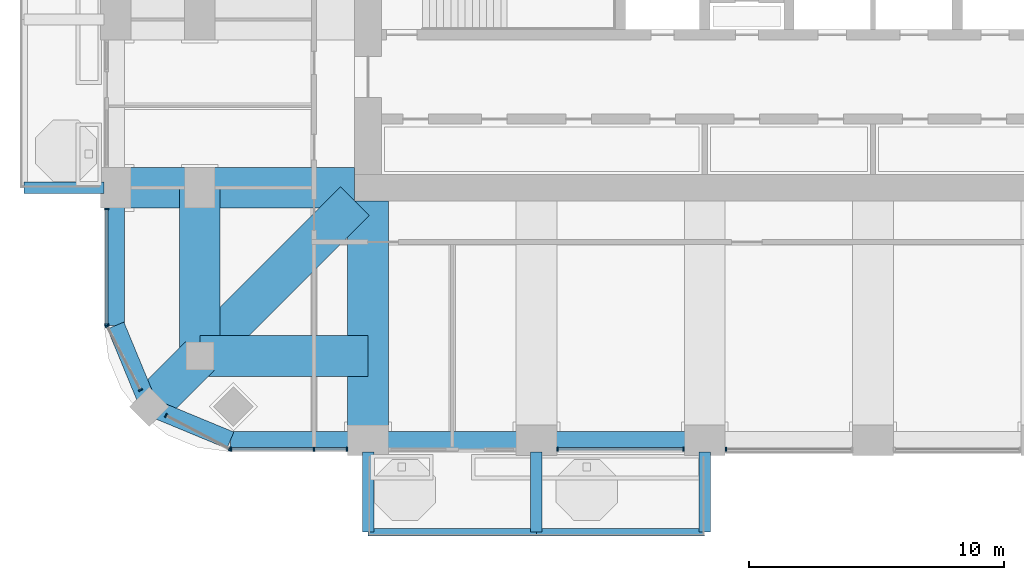
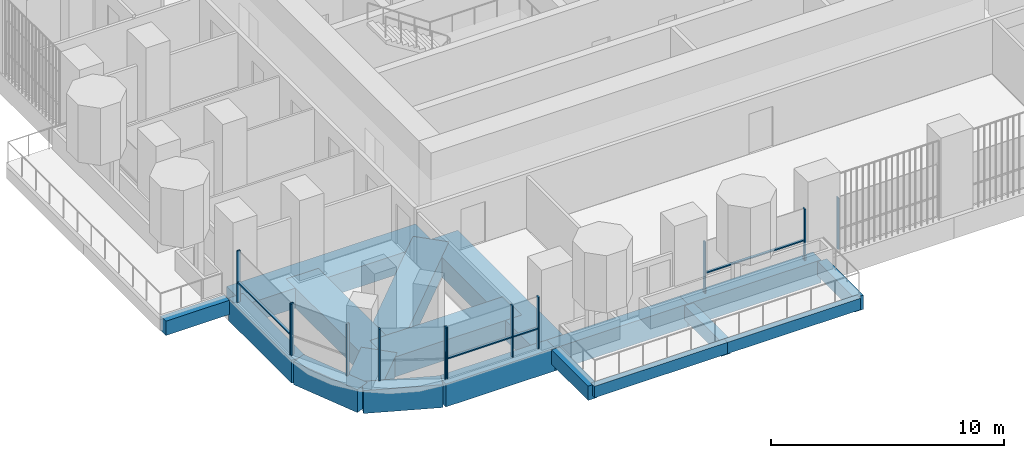
# One storey, part 2 of 20: 18 beams, 16 members, 6 elements without a shape of their own.
"""IFC4 building model written with IfcOpenShell, lengths in metres."""

import ifcopenshell
import ifcopenshell.guid

model = None  # the IFC model being written
_history = None  # IfcOwnerHistory: only IFC2X3 demands one
_inside = {}  # id of a spatial element -> (the spatial element, [elements in it])
_under = {}  # id of a project, library or spatial element -> (it, [spatial elements below it])
_declared = {}  # id of a project -> (the project, [libraries it declares])
_typed = {}  # id of a type object -> (the type object, [elements of that type])
_made_of = {}  # id of a material, layer set ... -> (it, [elements and type objects made of it])


def new_model(schema):
    """Start an empty IFC model of exactly this schema.

    Asked for "IFC4X3", IfcOpenShell would pick the latest addendum, in which some entities
    have other attributes; the version numbers below select the first issue.
    IFC2X3 requires an IfcOwnerHistory on every rooted entity: one is made here for all.
    """
    global model, _history
    if schema == "IFC4X3":
        model = ifcopenshell.file(schema_version=(4, 3, 0, 0))
    else:
        model = ifcopenshell.file(schema=schema)
    _inside.clear()
    _under.clear()
    _declared.clear()
    _typed.clear()
    _made_of.clear()
    _history = None
    if model.schema == "IFC2X3":
        org = make("IfcOrganization", Name="unknown")
        user = make(
            "IfcPersonAndOrganization",
            ThePerson=make("IfcPerson", FamilyName="unknown"),
            TheOrganization=org,
        )
        app = make(
            "IfcApplication",
            ApplicationDeveloper=org,
            Version="unknown",
            ApplicationFullName="unknown",
            ApplicationIdentifier="unknown",
        )
        _history = make(
            "IfcOwnerHistory",
            OwningUser=user,
            OwningApplication=app,
            ChangeAction="ADDED",
            CreationDate=0,
        )
    return model


def make(cls, **values):
    """One entity of the class cls with the attributes given. An attribute that is None is left unset."""
    return model.create_entity(
        cls, **{name: value for name, value in values.items() if value is not None}
    )


def rooted(cls, **values):
    """An entity with a GlobalId (a new one), such as an element, a storey or a relation."""
    return make(cls, GlobalId=ifcopenshell.guid.new(), OwnerHistory=_history, **values)


def si_unit(unit_type, name, prefix=None):
    """IfcSIUnit, for example si_unit("LENGTHUNIT", "METRE", prefix="MILLI")."""
    return make("IfcSIUnit", UnitType=unit_type, Prefix=prefix, Name=name)


def assignment(units):
    """IfcUnitAssignment: the units of a project."""
    return None if units is None else make("IfcUnitAssignment", Units=units)


def point(xyz):
    """IfcCartesianPoint."""
    return None if xyz is None else make("IfcCartesianPoint", Coordinates=xyz)


def direction(xyz):
    """IfcDirection."""
    return None if xyz is None else make("IfcDirection", DirectionRatios=xyz)


def frame(location, z_axis=None, x_axis=None):
    """IfcAxis2Placement3D, a coordinate frame: its origin and axes. An axis left out is left unset."""
    return make(
        "IfcAxis2Placement3D",
        Location=point(location),
        Axis=direction(z_axis),
        RefDirection=direction(x_axis),
    )


def frame_2d(location, x_axis=None):
    """IfcAxis2Placement2D, a coordinate frame in the plane: its origin and x axis."""
    return make(
        "IfcAxis2Placement2D", Location=point(location), RefDirection=direction(x_axis)
    )


def origin():
    """The frame at (0, 0, 0) with its axes left unset."""
    return frame((0.0, 0.0, 0.0))


def origin_2d():
    """The frame at (0, 0) in the plane with its x axis left unset."""
    return frame_2d((0.0, 0.0))


def place(relative_to, where):
    """IfcLocalPlacement: puts the frame where relative to a parent placement (None: the world)."""
    return make(
        "IfcLocalPlacement", PlacementRelTo=relative_to, RelativePlacement=where
    )


def context(
    kind, dimensions, precision=None, world=None, true_north=None, identifier=None
):
    """IfcGeometricRepresentationContext, for example the 3D "Model" context."""
    return make(
        "IfcGeometricRepresentationContext",
        ContextIdentifier=identifier,
        ContextType=kind,
        CoordinateSpaceDimension=dimensions,
        Precision=precision,
        WorldCoordinateSystem=world,
        TrueNorth=true_north,
    )


def subcontext(parent, identifier, kind, view, scale=None):
    """IfcGeometricRepresentationSubContext, for example "Body" below "Model"."""
    return make(
        "IfcGeometricRepresentationSubContext",
        ContextIdentifier=identifier,
        ContextType=kind,
        ParentContext=parent,
        TargetScale=scale,
        TargetView=view,
    )


def project(units=None, contexts=None):
    """IfcProject with its units and contexts."""
    return rooted(
        "IfcProject",
        Name="project",
        RepresentationContexts=contexts,
        UnitsInContext=assignment(units),
    )


def spatial(cls, under=None, at=None, **own):
    """A site, building, storey or space (cls), placed at a placement, below another one or the project."""
    s = rooted(cls, ObjectPlacement=at, **own)
    if under is not None:
        _under.setdefault(under.id(), (under, []))[1].append(s)
    return s


def profile(cls, at=None, kind="AREA", **sizes):
    """A parametric profile (cls). Its sizes go by their IFC names, for example OverallWidth=200.0."""
    return make(cls, ProfileType=kind, Position=at, **sizes)


def rectangle(**sizes):
    """IfcRectangleProfileDef."""
    return profile("IfcRectangleProfileDef", **sizes)


def extrude(swept, where, along, depth):
    """IfcExtrudedAreaSolid: the profile swept, set in the frame where, extruded along a direction by depth."""
    return make(
        "IfcExtrudedAreaSolid",
        SweptArea=swept,
        Position=where,
        ExtrudedDirection=direction(along),
        Depth=depth,
    )


def shape(context_of_items, identifier, shape_type, items):
    """IfcShapeRepresentation: the items that make up one representation, for example the "Body"."""
    return make(
        "IfcShapeRepresentation",
        ContextOfItems=context_of_items,
        RepresentationIdentifier=identifier,
        RepresentationType=shape_type,
        Items=items,
    )


def material(Name=None, Category=None):
    """IfcMaterial."""
    return make("IfcMaterial", Name=Name, Category=Category)


def material_profile(
    of_material, cross_section, Name=None, Category=None, Priority=None
):
    """IfcMaterialProfile: a cross section and its material."""
    return make(
        "IfcMaterialProfile",
        Name=Name,
        Material=of_material,
        Profile=cross_section,
        Priority=Priority,
        Category=Category,
    )


def profile_set(profiles, Name=None, composite=None):
    """IfcMaterialProfileSet."""
    return make(
        "IfcMaterialProfileSet",
        Name=Name,
        MaterialProfiles=profiles,
        CompositeProfile=composite,
    )


def made_of(thing, what):
    """Note that an element or type object is made of a material, layer set ...; save() writes the relation."""
    if what is not None:
        _made_of.setdefault(what.id(), (what, []))[1].append(thing)
    return thing


def type_object(cls, material=None, **own):
    """A type object (cls), such as IfcWallType, which elements share."""
    return made_of(rooted(cls, **own), material)


def element(
    cls,
    number,
    at=None,
    inside=None,
    cuts=None,
    type_object=None,
    material=None,
    context=None,
    identifier="Body",
    shape_type=None,
    held_by="IfcProductDefinitionShape",
    body=None,
    shapes=None,
    **own,
):
    """One element of the class cls, such as IfcWall. Its Tag is "e" and its number.

    at: its placement. inside: the storey or other place that contains it. cuts: it is an
    opening in that element (IfcRelVoidsElement). A single representation is given by context,
    identifier, shape_type and body (its items); several are given by shapes. held_by: the class
    of the entity that holds the representations. save() writes the other relations.
    """
    e = rooted(cls, Tag="e%d" % number, ObjectPlacement=at, **own)
    if body is not None:
        shapes = [shape(context, identifier, shape_type, body)]
    if shapes is not None:
        e.Representation = make(held_by, Representations=shapes)
    if inside is not None:
        _inside.setdefault(inside.id(), (inside, []))[1].append(e)
    if cuts is not None:
        rooted(
            "IfcRelVoidsElement", RelatingBuildingElement=cuts, RelatedOpeningElement=e
        )
    if type_object is not None:
        _typed.setdefault(type_object.id(), (type_object, []))[1].append(e)
    return made_of(e, material)


def aggregate(whole, parts):
    """IfcRelAggregates: a whole, such as a stair, and the parts it consists of."""
    return rooted("IfcRelAggregates", RelatingObject=whole, RelatedObjects=parts)


def save(model, path):
    """Write the relations noted so far, then the file.

    IfcRelAggregates (storeys below a building ...), IfcRelContainedInSpatialStructure (elements
    in a storey), IfcRelDefinesByType, IfcRelAssociatesMaterial and IfcRelDeclares: one each for
    every whole, place, type object, material and project.
    """
    for whole, parts in _under.values():
        aggregate(whole, parts)
    for where, things in _inside.values():
        rooted(
            "IfcRelContainedInSpatialStructure",
            RelatedElements=things,
            RelatingStructure=where,
        )
    for kind, things in _typed.values():
        rooted("IfcRelDefinesByType", RelatedObjects=things, RelatingType=kind)
    for what, things in _made_of.values():
        rooted("IfcRelAssociatesMaterial", RelatedObjects=things, RelatingMaterial=what)
    for by, libraries in _declared.values():
        rooted("IfcRelDeclares", RelatingContext=by, RelatedDefinitions=libraries)
    model.write(path)


model = new_model("IFC4")

# Units and contexts
model_context = context("Model", 3, precision=1e-05, world=origin(), true_north=direction((0.0, 1.0)))
body_context = subcontext(model_context, "Body", "Model", "MODEL_VIEW")
ifc_project = project(units=[si_unit("LENGTHUNIT", "METRE"), si_unit("AREAUNIT", "SQUARE_METRE"), si_unit("VOLUMEUNIT", "CUBIC_METRE"), si_unit("PLANEANGLEUNIT", "RADIAN"), si_unit("MASSUNIT", "GRAM", prefix="KILO")], contexts=[model_context])

# Site, building, storey
site_placement = place(None, origin())
site = spatial("IfcSite", under=ifc_project, at=site_placement, CompositionType="ELEMENT")
building_placement = place(site_placement, origin())
building = spatial("IfcBuilding", under=site, at=building_placement, Name="Cobogo Forest Laboratory Tower", CompositionType="ELEMENT")
storey_placement = place(building_placement, frame((0.0, 0.0, 201.89990234375)))
storey = spatial("IfcBuildingStorey", under=building, at=storey_placement, Name="L46", CompositionType="ELEMENT", Elevation=201.89990234375)

# Beams
ifc_material_1 = material(Name="Concrete HA-40 (C40/50)", Category="concrete")
ifc_material_profile_1 = material_profile(ifc_material_1, rectangle(XDim=0.449951171875, YDim=0.75, at=origin_2d()), Name="RC 450x750")
ifc_profile_set_1 = profile_set([ifc_material_profile_1], Name="Concrete HA-40 (C40/50)")
beam_type_1 = type_object("IfcBeamType", Name="Balcony cantilever beam 450x750", PredefinedType="BEAM", material=ifc_profile_set_1)
for number, where, z_axis, x_axis, name in (
    (1, (13.199951171875, 2.85009765625, -0.625), (0.0, -1.0, 0.0), (1.0, 0.0, 0.0), "CB1 BAL-S1-C1 L46"),
    (2, (19.800048828125, 2.85009765625, -0.625), (0.0, -1.0, 0.0), (1.0, 0.0, 0.0), "CB1 BAL-S1-C2 L46"),
    (3, (26.39990234375, 2.85009765625, -0.625), (0.0, -1.0, 0.0), (1.0, 0.0, 0.0), "CB1 BAL-S1-C3 L46"),
    (4, (2.85009765625, 13.199951171875, -0.625), (-1.0, 0.0, 0.0), (0.0, -1.0, 0.0), "CB1 BAL-W1-C1 L46"),
):
    element("IfcBeam", number, at=place(storey_placement, frame(where, z_axis=z_axis, x_axis=x_axis)), inside=storey, type_object=beam_type_1, Name=name, PredefinedType="BEAM", context=body_context, shape_type="SweptSolid", body=[
        extrude(rectangle(XDim=0.449951171875, YDim=0.75, at=origin_2d()), origin(), (0.0, 0.0, 1.0), 3.150146484375),
    ])
ifc_material_profile_2 = material_profile(ifc_material_1, rectangle(XDim=0.300048828125, YDim=0.60009765625, at=origin_2d()), Name="RC 300x600")
ifc_profile_set_2 = profile_set([ifc_material_profile_2], Name="Concrete HA-40 (C40/50)")
beam_type_2 = type_object("IfcBeamType", Name="Balcony edge beam 300x600", PredefinedType="BEAM", material=ifc_profile_set_2)
beam_1_placement = place(storey_placement, frame((13.199951171875, -0.300048828125, -0.5498046875), z_axis=(1.0, 0.0, 0.0), x_axis=(0.0, 1.0, 0.0)))
element("IfcBeam", 5, at=beam_1_placement, inside=storey, type_object=beam_type_2, Name="BB1 BAL-S1-T1 L46", PredefinedType="BEAM", context=body_context, shape_type="SweptSolid", body=[
    extrude(rectangle(XDim=0.300048828125, YDim=0.60009765625, at=origin_2d()), origin(), (0.0, 0.0, 1.0), 6.60009765625),
])
beam_2_placement = place(storey_placement, frame((19.800048828125, -0.300048828125, -0.5498046875), z_axis=(1.0, 0.0, 0.0), x_axis=(0.0, 1.0, 0.0)))
element("IfcBeam", 6, at=beam_2_placement, inside=storey, type_object=beam_type_2, Name="BB1 BAL-S1-T2 L46", PredefinedType="BEAM", context=body_context, shape_type="SweptSolid", body=[
    extrude(rectangle(XDim=0.300048828125, YDim=0.60009765625, at=origin_2d()), origin(), (0.0, 0.0, 1.0), 6.599853515625),
])
ifc_material_2 = material(Name="Concrete HA-50 (C50/60)", Category="concrete")
ifc_material_profile_3 = material_profile(ifc_material_2, rectangle(XDim=1.60009765625, YDim=1.050048828125, at=origin_2d()), Name="RC 1600x1050")
ifc_profile_set_3 = profile_set([ifc_material_profile_3], Name="Concrete HA-50 (C50/60)")
beam_type_3 = type_object("IfcBeamType", Name="Laboratory floor wide beam 1600x1050", PredefinedType="BEAM", material=ifc_profile_set_3)
for number, where, z_axis, x_axis, name in (
    (7, (13.199951171875, 12.675048828125, -0.824951171875), (0.0, -1.0, 0.0), (1.0, 0.0, 0.0), "RB8 R-3-S L46"),
    (8, (12.675048828125, 13.199951171875, -0.824951171875), (-1.0, 0.0, 0.0), (0.0, -1.0, 0.0), "RB8 R-C-W L46"),
):
    element("IfcBeam", number, at=place(storey_placement, frame(where, z_axis=z_axis, x_axis=x_axis)), inside=storey, type_object=beam_type_3, Name=name, PredefinedType="BEAM", context=body_context, shape_type="SweptSolid", body=[
        extrude(rectangle(XDim=1.60009765625, YDim=1.050048828125, at=origin_2d()), origin(), (0.0, 0.0, 1.0), 9.375),
    ])
for number, where, z_axis, x_axis, name in (
    (9, (6.60009765625, 6.60009765625, -0.824951171875), (0.0, 1.0, 0.0), (-1.0, 0.0, 0.0), "RB8 G-SW-XC L46"),
    (10, (6.60009765625, 6.60009765625, -0.824951171875), (1.0, 0.0, 0.0), (0.0, 1.0, 0.0), "RB8 G-SW-YC L46"),
):
    element("IfcBeam", number, at=place(storey_placement, frame(where, z_axis=z_axis, x_axis=x_axis)), inside=storey, type_object=beam_type_3, Name=name, PredefinedType="BEAM", context=body_context, shape_type="SweptSolid", body=[
        extrude(rectangle(XDim=1.60009765625, YDim=1.050048828125, at=origin_2d()), origin(), (0.0, 0.0, 1.0), 6.599853515625),
    ])
beam_3_placement = place(storey_placement, frame((4.617919921875, 4.617919921875, -0.824951171875), z_axis=(0.707106781187, 0.707106781187, 0.0), x_axis=(-0.707106781187, 0.707106781187, 0.0)))
element("IfcBeam", 11, at=beam_3_placement, inside=storey, type_object=beam_type_3, Name="RB8 G-SW-D1 L46", PredefinedType="BEAM", context=body_context, shape_type="SweptSolid", body=[
    extrude(rectangle(XDim=1.60009765625, YDim=1.050048828125, at=origin_2d()), origin(), (0.0, 0.0, 1.0), 2.80322265625),
])
beam_4_placement = place(storey_placement, frame((6.60009765625, 6.60009765625, -0.824951171875), z_axis=(0.707106781187, 0.707106781187, 0.0), x_axis=(-0.707106781187, 0.707106781187, 0.0)))
element("IfcBeam", 12, at=beam_4_placement, inside=storey, type_object=beam_type_3, Name="RB8 G-SW-D2 L46", PredefinedType="BEAM", context=body_context, shape_type="SweptSolid", body=[
    extrude(rectangle(XDim=1.60009765625, YDim=1.050048828125, at=origin_2d()), origin(), (0.0, 0.0, 1.0), 8.59130859375),
])

# Curtain wall, members
ifc_material_3 = material(Name="Aluminium curtain wall", Category="aluminium")
curtain_wall_type = type_object("IfcCurtainWallType", Name="CW-2 unitised curtain wall, solar control glazing, laboratory floors zones C and D", PredefinedType="USERDEFINED", material=ifc_material_3)
curtain_wall_1_placement = place(storey_placement, origin())
curtain_wall_1 = element("IfcCurtainWall", 13, at=curtain_wall_1_placement, inside=storey, type_object=curtain_wall_type, Name="Curtain wall 01 L46", ObjectType="UNITISED CURTAIN WALL", PredefinedType="USERDEFINED")
ifc_material_4 = material(Name="Aluminium mullion", Category="aluminium")
ifc_material_profile_4 = material_profile(ifc_material_4, rectangle(XDim=0.06005859375, YDim=0.159912109375, at=origin_2d()), Name="AL 60x160")
ifc_profile_set_4 = profile_set([ifc_material_profile_4], Name="Aluminium mullion")
member_type_1 = type_object("IfcMemberType", Name="MU-1 aluminium mullion 60x160", PredefinedType="MULLION", material=ifc_profile_set_4)
member_1_placement = place(storey_placement, frame((7.830078125, 2.949951171875, 0.0), z_axis=(0.0, 0.0, 1.0), x_axis=(1.0, 0.0, 0.0)))
member_1 = element("IfcMember", 14, at=member_1_placement, type_object=member_type_1, Name="CW-2 mullion 1", PredefinedType="MULLION", context=body_context, shape_type="SweptSolid", body=[
    extrude(rectangle(XDim=0.06005859375, YDim=0.159912109375, at=origin_2d()), origin(), (0.0, 0.0, 1.0), 2.7001953125),
])
member_2_placement = place(storey_placement, frame((11.074951171875, 2.949951171875, 0.0), z_axis=(0.0, 0.0, 1.0), x_axis=(1.0, 0.0, 0.0)))
member_2 = element("IfcMember", 15, at=member_2_placement, type_object=member_type_1, Name="CW-2 mullion 2", PredefinedType="MULLION", context=body_context, shape_type="SweptSolid", body=[
    extrude(rectangle(XDim=0.06005859375, YDim=0.159912109375, at=origin_2d()), origin(), (0.0, 0.0, 1.0), 2.7001953125),
])
member_3_placement = place(storey_placement, frame((12.3701171875, 2.949951171875, 0.0), z_axis=(0.0, 0.0, 1.0), x_axis=(1.0, 0.0, 0.0)))
member_3 = element("IfcMember", 16, at=member_3_placement, type_object=member_type_1, Name="CW-2 mullion 3", PredefinedType="MULLION", context=body_context, shape_type="SweptSolid", body=[
    extrude(rectangle(XDim=0.06005859375, YDim=0.159912109375, at=origin_2d()), origin(), (0.0, 0.0, 1.0), 2.7001953125),
])

curtain_wall_2_placement = place(storey_placement, origin())
curtain_wall_2 = element("IfcCurtainWall", 17, at=curtain_wall_2_placement, inside=storey, type_object=curtain_wall_type, Name="Curtain wall 03 L46", ObjectType="UNITISED CURTAIN WALL", PredefinedType="USERDEFINED")
member_4_placement = place(storey_placement, frame((20.6298828125, 2.949951171875, 0.0), z_axis=(0.0, 0.0, 1.0), x_axis=(1.0, 0.0, 0.0)))
member_4 = element("IfcMember", 18, at=member_4_placement, type_object=member_type_1, Name="CW-2 mullion 1", PredefinedType="MULLION", context=body_context, shape_type="SweptSolid", body=[
    extrude(rectangle(XDim=0.06005859375, YDim=0.159912109375, at=origin_2d()), origin(), (0.0, 0.0, 1.0), 2.7001953125),
])
member_5_placement = place(storey_placement, frame((25.570068359375, 2.949951171875, 0.0), z_axis=(0.0, 0.0, 1.0), x_axis=(1.0, 0.0, 0.0)))
member_5 = element("IfcMember", 19, at=member_5_placement, type_object=member_type_1, Name="CW-2 mullion 2", PredefinedType="MULLION", context=body_context, shape_type="SweptSolid", body=[
    extrude(rectangle(XDim=0.06005859375, YDim=0.159912109375, at=origin_2d()), origin(), (0.0, 0.0, 1.0), 2.7001953125),
])

# Curtain wall, member
curtain_wall_3_placement = place(storey_placement, origin())
curtain_wall_3 = element("IfcCurtainWall", 20, at=curtain_wall_3_placement, inside=storey, type_object=curtain_wall_type, Name="Curtain wall 04 L46", ObjectType="UNITISED CURTAIN WALL", PredefinedType="USERDEFINED")
member_6_placement = place(storey_placement, frame((27.22998046875, 2.949951171875, 0.0), z_axis=(0.0, 0.0, 1.0), x_axis=(1.0, 0.0, 0.0)))
member_6 = element("IfcMember", 21, at=member_6_placement, type_object=member_type_1, Name="CW-2 mullion 1", PredefinedType="MULLION", context=body_context, shape_type="SweptSolid", body=[
    extrude(rectangle(XDim=0.06005859375, YDim=0.159912109375, at=origin_2d()), origin(), (0.0, 0.0, 1.0), 2.7001953125),
])
aggregate(curtain_wall_3, [member_6])

# Curtain wall, members
curtain_wall_4_placement = place(storey_placement, origin())
curtain_wall_4 = element("IfcCurtainWall", 22, at=curtain_wall_4_placement, inside=storey, type_object=curtain_wall_type, Name="Curtain wall 28 L46", ObjectType="UNITISED CURTAIN WALL", PredefinedType="USERDEFINED")
member_7_placement = place(storey_placement, frame((2.949951171875, 12.3701171875, 0.0), z_axis=(0.0, 0.0, 1.0), x_axis=(0.0, -1.0, 0.0)))
member_7 = element("IfcMember", 23, at=member_7_placement, type_object=member_type_1, Name="CW-2 mullion 1", PredefinedType="MULLION", context=body_context, shape_type="SweptSolid", body=[
    extrude(rectangle(XDim=0.06005859375, YDim=0.159912109375, at=origin_2d()), origin(), (0.0, 0.0, 1.0), 2.7001953125),
])
member_8_placement = place(storey_placement, frame((2.949951171875, 7.830078125, 0.0), z_axis=(0.0, 0.0, 1.0), x_axis=(0.0, -1.0, 0.0)))
member_8 = element("IfcMember", 24, at=member_8_placement, type_object=member_type_1, Name="CW-2 mullion 2", PredefinedType="MULLION", context=body_context, shape_type="SweptSolid", body=[
    extrude(rectangle(XDim=0.06005859375, YDim=0.159912109375, at=origin_2d()), origin(), (0.0, 0.0, 1.0), 2.7001953125),
])

curtain_wall_5_placement = place(storey_placement, origin())
curtain_wall_5 = element("IfcCurtainWall", 25, at=curtain_wall_5_placement, inside=storey, type_object=curtain_wall_type, Name="Curtain wall 29 L46", ObjectType="UNITISED CURTAIN WALL", PredefinedType="USERDEFINED")
member_9_placement = place(storey_placement, frame((2.9638671875, 7.7734375, 0.0), z_axis=(0.0, 0.0, 1.0), x_axis=(0.464283804832, -0.885686484356, 0.0)))
member_9 = element("IfcMember", 26, at=member_9_placement, type_object=member_type_1, Name="CW-2 mullion 1", PredefinedType="MULLION", context=body_context, shape_type="SweptSolid", body=[
    extrude(rectangle(XDim=0.06005859375, YDim=0.159912109375, at=origin_2d()), origin(), (0.0, 0.0, 1.0), 2.7001953125),
])
member_10_placement = place(storey_placement, frame((4.2734375, 5.275634765625, 0.0), z_axis=(0.0, 0.0, 1.0), x_axis=(0.464283804832, -0.885686484356, 0.0)))
member_10 = element("IfcMember", 27, at=member_10_placement, type_object=member_type_1, Name="CW-2 mullion 2", PredefinedType="MULLION", context=body_context, shape_type="SweptSolid", body=[
    extrude(rectangle(XDim=0.06005859375, YDim=0.159912109375, at=origin_2d()), origin(), (0.0, 0.0, 1.0), 2.7001953125),
])
aggregate(curtain_wall_5, [member_9, member_10])

curtain_wall_6_placement = place(storey_placement, origin())
curtain_wall_6 = element("IfcCurtainWall", 28, at=curtain_wall_6_placement, inside=storey, type_object=curtain_wall_type, Name="Curtain wall 30 L46", ObjectType="UNITISED CURTAIN WALL", PredefinedType="USERDEFINED")
member_11_placement = place(storey_placement, frame((5.275634765625, 4.2734375, 0.0), z_axis=(0.0, 0.0, 1.0), x_axis=(0.885686484356, -0.464283804832, 0.0)))
member_11 = element("IfcMember", 29, at=member_11_placement, type_object=member_type_1, Name="CW-2 mullion 1", PredefinedType="MULLION", context=body_context, shape_type="SweptSolid", body=[
    extrude(rectangle(XDim=0.06005859375, YDim=0.159912109375, at=origin_2d()), origin(), (0.0, 0.0, 1.0), 2.7001953125),
])
member_12_placement = place(storey_placement, frame((7.7734375, 2.9638671875, 0.0), z_axis=(0.0, 0.0, 1.0), x_axis=(0.885686484356, -0.464283804832, 0.0)))
member_12 = element("IfcMember", 30, at=member_12_placement, type_object=member_type_1, Name="CW-2 mullion 2", PredefinedType="MULLION", context=body_context, shape_type="SweptSolid", body=[
    extrude(rectangle(XDim=0.06005859375, YDim=0.159912109375, at=origin_2d()), origin(), (0.0, 0.0, 1.0), 2.7001953125),
])
aggregate(curtain_wall_6, [member_11, member_12])

# Beams
ifc_material_profile_5 = material_profile(ifc_material_1, rectangle(XDim=0.699951171875, YDim=1.199951171875, at=origin_2d()), Name="RC 700x1200")
ifc_profile_set_5 = profile_set([ifc_material_profile_5], Name="Concrete HA-40 (C40/50)")
beam_type_4 = type_object("IfcBeamType", Name="Perimeter edge beam 700x1200", PredefinedType="BEAM", material=ifc_profile_set_5)
beam_5_placement = place(storey_placement, frame((13.199951171875, 3.300048828125, -0.89990234375), z_axis=(1.0, 0.0, 0.0), x_axis=(0.0, 1.0, 0.0)))
element("IfcBeam", 31, at=beam_5_placement, inside=storey, type_object=beam_type_4, Name="EB1 E-S1 L46", PredefinedType="BEAM", context=body_context, shape_type="SweptSolid", body=[
    extrude(rectangle(XDim=0.699951171875, YDim=1.199951171875, at=origin_2d()), origin(), (0.0, 0.0, 1.0), 6.60009765625),
])
beam_6_placement = place(storey_placement, frame((19.800048828125, 3.300048828125, -0.89990234375), z_axis=(1.0, 0.0, 0.0), x_axis=(0.0, 1.0, 0.0)))
element("IfcBeam", 32, at=beam_6_placement, inside=storey, type_object=beam_type_4, Name="EB1 E-S2 L46", PredefinedType="BEAM", context=body_context, shape_type="SweptSolid", body=[
    extrude(rectangle(XDim=0.699951171875, YDim=1.199951171875, at=origin_2d()), origin(), (0.0, 0.0, 1.0), 6.599853515625),
])
beam_7_placement = place(storey_placement, frame((13.199951171875, 3.300048828125, -0.89990234375), z_axis=(-1.0, 0.0, 0.0), x_axis=(0.0, -1.0, 0.0)))
element("IfcBeam", 33, at=beam_7_placement, inside=storey, type_object=beam_type_4, Name="EB1 E-SWS1 L46", PredefinedType="BEAM", context=body_context, shape_type="SweptSolid", body=[
    extrude(rectangle(XDim=0.699951171875, YDim=1.199951171875, at=origin_2d()), origin(), (0.0, 0.0, 1.0), 5.39990234375),
])
beam_8_placement = place(storey_placement, frame((7.800048828125, 3.300048828125, -0.89990234375), z_axis=(-0.923901072997, 0.382631424892, 0.0), x_axis=(-0.382631424892, -0.923901072997, 0.0)))
element("IfcBeam", 34, at=beam_8_placement, inside=storey, type_object=beam_type_4, Name="EB1 E-SWS2 L46", PredefinedType="BEAM", context=body_context, shape_type="SweptSolid", body=[
    extrude(rectangle(XDim=0.699951171875, YDim=1.199951171875, at=origin_2d()), origin(), (0.0, 0.0, 1.0), 3.4443359375),
])
beam_9_placement = place(storey_placement, frame((3.300048828125, 13.199951171875, -0.89990234375), z_axis=(0.0, -1.0, 0.0), x_axis=(1.0, 0.0, 0.0)))
element("IfcBeam", 35, at=beam_9_placement, inside=storey, type_object=beam_type_4, Name="EB1 E-SWW1 L46", PredefinedType="BEAM", context=body_context, shape_type="SweptSolid", body=[
    extrude(rectangle(XDim=0.699951171875, YDim=1.199951171875, at=origin_2d()), origin(), (0.0, 0.0, 1.0), 5.39990234375),
])
beam_10_placement = place(storey_placement, frame((3.300048828125, 7.800048828125, -0.89990234375), z_axis=(0.382631424892, -0.923901072997, 0.0), x_axis=(0.923901072997, 0.382631424892, 0.0)))
element("IfcBeam", 36, at=beam_10_placement, inside=storey, type_object=beam_type_4, Name="EB1 E-SWW2 L46", PredefinedType="BEAM", context=body_context, shape_type="SweptSolid", body=[
    extrude(rectangle(XDim=0.699951171875, YDim=1.199951171875, at=origin_2d()), origin(), (0.0, 0.0, 1.0), 3.4443359375),
])

# Member
ifc_material_5 = material(Name="Aluminium transom", Category="aluminium")
ifc_material_profile_6 = material_profile(ifc_material_5, rectangle(XDim=0.1201171875, YDim=0.06005859375, at=origin_2d()), Name="AL 60x120")
ifc_profile_set_6 = profile_set([ifc_material_profile_6], Name="Aluminium transom")
member_type_2 = type_object("IfcMemberType", Name="TR-1 aluminium transom 60x120", PredefinedType="USERDEFINED", material=ifc_profile_set_6)
member_13_placement = place(storey_placement, frame((7.860107421875, 2.949951171875, 1.050048828125), z_axis=(1.0, 0.0, 0.0), x_axis=(0.0, 1.0, 0.0)))
member_13 = element("IfcMember", 37, at=member_13_placement, type_object=member_type_2, Name="CW-2 transom 1.1", ObjectType="TRANSOM", PredefinedType="USERDEFINED", context=body_context, shape_type="SweptSolid", body=[
    extrude(rectangle(XDim=0.1201171875, YDim=0.06005859375, at=origin_2d()), origin(), (0.0, 0.0, 1.0), 3.184814453125),
])

member_14_placement = place(storey_placement, frame((11.10498046875, 2.949951171875, 1.050048828125), z_axis=(1.0, 0.0, 0.0), x_axis=(0.0, 1.0, 0.0)))
member_14 = element("IfcMember", 38, at=member_14_placement, type_object=member_type_2, Name="CW-2 transom 2.1", ObjectType="TRANSOM", PredefinedType="USERDEFINED", context=body_context, shape_type="SweptSolid", body=[
    extrude(rectangle(XDim=0.1201171875, YDim=0.06005859375, at=origin_2d()), origin(), (0.0, 0.0, 1.0), 1.235107421875),
])

aggregate(curtain_wall_1, [member_1, member_2, member_3, member_13, member_14])

member_15_placement = place(storey_placement, frame((20.659912109375, 2.949951171875, 1.050048828125), z_axis=(1.0, 0.0, 0.0), x_axis=(0.0, 1.0, 0.0)))
member_15 = element("IfcMember", 39, at=member_15_placement, type_object=member_type_2, Name="CW-2 transom 1.1", ObjectType="TRANSOM", PredefinedType="USERDEFINED", context=body_context, shape_type="SweptSolid", body=[
    extrude(rectangle(XDim=0.1201171875, YDim=0.06005859375, at=origin_2d()), origin(), (0.0, 0.0, 1.0), 4.880126953125),
])

aggregate(curtain_wall_2, [member_4, member_5, member_15])

member_16_placement = place(storey_placement, frame((2.949951171875, 12.340087890625, 1.050048828125), z_axis=(0.0, -1.0, 0.0), x_axis=(1.0, 0.0, 0.0)))
member_16 = element("IfcMember", 40, at=member_16_placement, type_object=member_type_2, Name="CW-2 transom 1.1", ObjectType="TRANSOM", PredefinedType="USERDEFINED", context=body_context, shape_type="SweptSolid", body=[
    extrude(rectangle(XDim=0.1201171875, YDim=0.06005859375, at=origin_2d()), origin(), (0.0, 0.0, 1.0), 4.47998046875),
])

aggregate(curtain_wall_4, [member_7, member_8, member_16])

save(model, "model.ifc")
